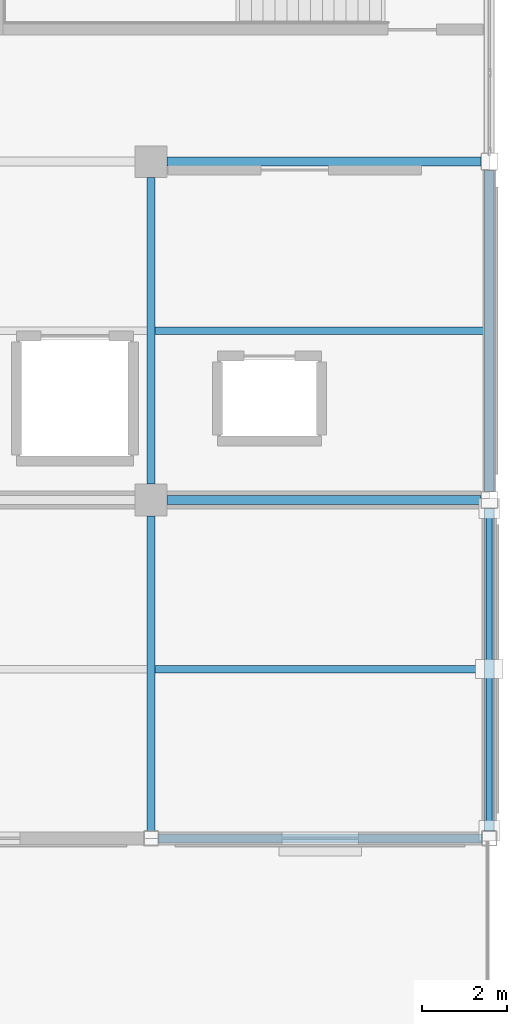
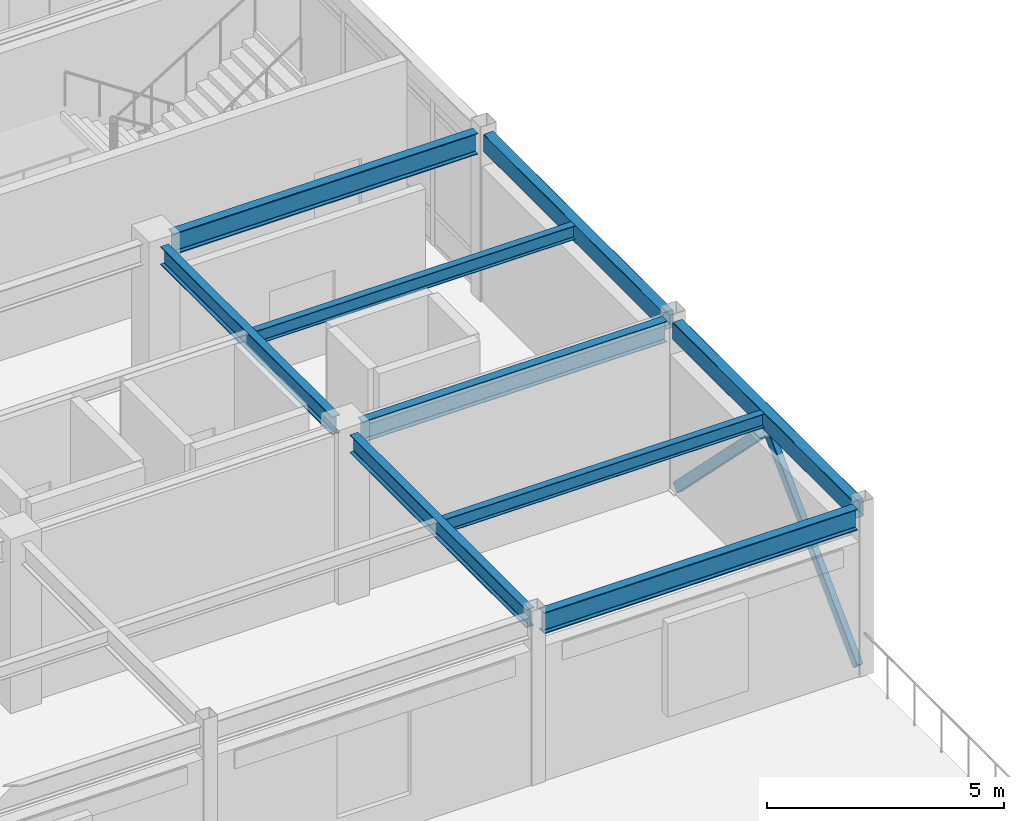
# One storey, part 70 of 111: 9 beams, 2 members.
"""IFC4 building model written with IfcOpenShell, lengths in metres."""

from ifc_helpers import new_model, si_unit, direction, frame, origin, origin_2d, place, context, subcontext, project, spatial, hollow_rectangle, i_section, extrude, material, material_profile, profile_set, type_object, element, save


model = new_model("IFC4")

# Units and contexts
model_context = context("Model", 3, precision=1e-05, world=origin(), true_north=direction((0.0, 1.0)))
body_context = subcontext(model_context, "Body", "Model", "MODEL_VIEW")
ifc_project = project(units=[si_unit("LENGTHUNIT", "METRE"), si_unit("AREAUNIT", "SQUARE_METRE"), si_unit("VOLUMEUNIT", "CUBIC_METRE"), si_unit("PLANEANGLEUNIT", "RADIAN"), si_unit("MASSUNIT", "GRAM", prefix="KILO")], contexts=[model_context])

# Site, building, storey
site_placement = place(None, origin())
site = spatial("IfcSite", under=ifc_project, at=site_placement, CompositionType="ELEMENT")
building_placement = place(site_placement, origin())
building = spatial("IfcBuilding", under=site, at=building_placement, Name="Solmirada Galleria", CompositionType="ELEMENT")
storey_placement = place(building_placement, frame((0.0, 0.0, 10.39990234375)))
storey = spatial("IfcBuildingStorey", under=building, at=storey_placement, Name="L02", CompositionType="ELEMENT", Elevation=10.39990234375)

# Beams
ifc_material_1 = material(Name="Steel S355 / ASTM A992 Grade 50", Category="steel")
ifc_material_profile_1 = material_profile(ifc_material_1, i_section(OverallWidth=0.194091796875, OverallDepth=0.468994140625, WebThickness=0.0126953125, FlangeThickness=0.0205078125, FilletRadius=0.013916015625, at=origin_2d()), Name="W18X71")
ifc_profile_set_1 = profile_set([ifc_material_profile_1], Name="Steel S355 / ASTM A992 Grade 50")
beam_type_1 = type_object("IfcBeamType", Name="BM-GIRD-W18B", PredefinedType="BEAM", material=ifc_profile_set_1)
beam_1_placement = place(storey_placement, frame((168.0, 80.177978515625, 4.065673828125), z_axis=(0.0, 1.0, 0.0), x_axis=(-1.0, 0.0, 0.0)))
element("IfcBeam", 1, at=beam_1_placement, inside=storey, type_object=beam_type_1, Name="Primary girder L03 Y(168, 80..88)", PredefinedType="BEAM", context=body_context, shape_type="SweptSolid", body=[
    extrude(i_section(OverallWidth=0.194091796875, OverallDepth=0.468994140625, WebThickness=0.0126953125, FlangeThickness=0.0205078125, FilletRadius=0.013916015625, at=origin_2d()), origin(), (0.0, 0.0, 1.0), 7.447021484375),
])
beam_2_placement = place(storey_placement, frame((168.0, 88.375, 4.065673828125), z_axis=(0.0, 1.0, 0.0), x_axis=(-1.0, 0.0, 0.0)))
element("IfcBeam", 2, at=beam_2_placement, inside=storey, type_object=beam_type_1, Name="Primary girder L03 Y(168, 88..96)", PredefinedType="BEAM", context=body_context, shape_type="SweptSolid", body=[
    extrude(i_section(OverallWidth=0.194091796875, OverallDepth=0.468994140625, WebThickness=0.0126953125, FlangeThickness=0.0205078125, FilletRadius=0.013916015625, at=origin_2d()), origin(), (0.0, 0.0, 1.0), 7.25),
])
ifc_material_profile_2 = material_profile(ifc_material_1, i_section(OverallWidth=0.214111328125, OverallDepth=0.549072265625, WebThickness=0.0146484375, FlangeThickness=0.023681640625, FilletRadius=0.014892578125, at=origin_2d()), Name="W21X93")
ifc_profile_set_2 = profile_set([ifc_material_profile_2], Name="Steel S355 / ASTM A992 Grade 50")
beam_type_2 = type_object("IfcBeamType", Name="BM-GIRD-W21A", PredefinedType="BEAM", material=ifc_profile_set_2)
beam_3_placement = place(storey_placement, frame((168.177978515625, 80.0, 4.025634765625), z_axis=(1.0, 0.0, 0.0), x_axis=(0.0, 1.0, 0.0)))
element("IfcBeam", 3, at=beam_3_placement, inside=storey, type_object=beam_type_2, Name="Primary beam L03 X(168..176, 80)", PredefinedType="BEAM", context=body_context, shape_type="SweptSolid", body=[
    extrude(i_section(OverallWidth=0.214111328125, OverallDepth=0.549072265625, WebThickness=0.0146484375, FlangeThickness=0.023681640625, FilletRadius=0.014892578125, at=origin_2d()), origin(), (0.0, 0.0, 1.0), 7.64404296875),
])
beam_4_placement = place(storey_placement, frame((168.375, 96.0, 4.025634765625), z_axis=(1.0, 0.0, 0.0), x_axis=(0.0, 1.0, 0.0)))
element("IfcBeam", 4, at=beam_4_placement, inside=storey, type_object=beam_type_2, Name="Primary beam L03 X(168..176, 96)", PredefinedType="BEAM", context=body_context, shape_type="SweptSolid", body=[
    extrude(i_section(OverallWidth=0.214111328125, OverallDepth=0.549072265625, WebThickness=0.0146484375, FlangeThickness=0.023681640625, FilletRadius=0.014892578125, at=origin_2d()), origin(), (0.0, 0.0, 1.0), 7.422119140625),
])
ifc_material_profile_3 = material_profile(ifc_material_1, i_section(OverallWidth=0.2099609375, OverallDepth=0.537109375, WebThickness=0.010986328125, FlangeThickness=0.017333984375, FilletRadius=0.014892578125, at=origin_2d()), Name="W21X68")
ifc_profile_set_3 = profile_set([ifc_material_profile_3], Name="Steel S355 / ASTM A992 Grade 50")
beam_type_3 = type_object("IfcBeamType", Name="BM-GIRD-W21B", PredefinedType="BEAM", material=ifc_profile_set_3)
beam_5_placement = place(storey_placement, frame((168.375, 88.0, 4.031494140625), z_axis=(1.0, 0.0, 0.0), x_axis=(0.0, 1.0, 0.0)))
element("IfcBeam", 5, at=beam_5_placement, inside=storey, type_object=beam_type_3, Name="Primary beam L03 X(168..176, 88)", PredefinedType="BEAM", context=body_context, shape_type="SweptSolid", body=[
    extrude(i_section(OverallWidth=0.2099609375, OverallDepth=0.537109375, WebThickness=0.010986328125, FlangeThickness=0.017333984375, FilletRadius=0.014892578125, at=origin_2d()), origin(), (0.0, 0.0, 1.0), 7.422119140625),
])
ifc_material_profile_4 = material_profile(ifc_material_1, i_section(OverallWidth=0.172119140625, OverallDepth=0.35791015625, WebThickness=0.0078125, FlangeThickness=0.01318359375, FilletRadius=0.011962890625, at=origin_2d()), Name="W14X38")
ifc_profile_set_4 = profile_set([ifc_material_profile_4], Name="Steel S355 / ASTM A992 Grade 50")
beam_type_4 = type_object("IfcBeamType", Name="BM-JST-W14A", PredefinedType="JOIST", material=ifc_profile_set_4)
for number, where, z_axis, x_axis, name in (
    (6, (168.096923828125, 84.0, 4.12109375), (1.0, 0.0, 0.0), (0.0, 1.0, 0.0), "Composite floor joist L03 (168..176, 84.0)"),
    (7, (168.096923828125, 92.0, 4.12109375), (1.0, 0.0, 0.0), (0.0, 1.0, 0.0), "Composite floor joist L03 (168..176, 92.0)"),
):
    element("IfcBeam", number, at=place(storey_placement, frame(where, z_axis=z_axis, x_axis=x_axis)), inside=storey, type_object=beam_type_4, Name=name, PredefinedType="JOIST", context=body_context, shape_type="SweptSolid", body=[
        extrude(i_section(OverallWidth=0.172119140625, OverallDepth=0.35791015625, WebThickness=0.0078125, FlangeThickness=0.01318359375, FilletRadius=0.011962890625, at=origin_2d()), origin(), (0.0, 0.0, 1.0), 7.776123046875),
    ])
ifc_material_2 = material(Name="Steel S355 / ASTM A500 Grade C", Category="steel")
ifc_material_profile_5 = material_profile(ifc_material_2, hollow_rectangle(XDim=0.25390625, YDim=0.45703125, WallThickness=0.01171875, InnerFilletRadius=0.01171875, OuterFilletRadius=0.023681640625, at=origin_2d()), Name="HSS18X10X1/2")
ifc_profile_set_5 = profile_set([ifc_material_profile_5], Name="Steel S355 / ASTM A500 Grade C")
beam_type_5 = type_object("IfcBeamType", Name="BM-SPAND-W18", PredefinedType="SPANDREL", material=ifc_profile_set_5)
beam_6_placement = place(storey_placement, frame((176.0, 80.177978515625, 4.071533203125), z_axis=(0.0, 1.0, 0.0), x_axis=(-1.0, 0.0, 0.0)))
element("IfcBeam", 8, at=beam_6_placement, inside=storey, type_object=beam_type_5, Name="Primary girder L03 Y(176, 80..88)", PredefinedType="SPANDREL", context=body_context, shape_type="SweptSolid", body=[
    extrude(hollow_rectangle(XDim=0.25390625, YDim=0.45703125, WallThickness=0.01171875, InnerFilletRadius=0.01171875, OuterFilletRadius=0.023681640625, at=origin_2d()), origin(), (0.0, 0.0, 1.0), 7.619140625),
])
beam_7_placement = place(storey_placement, frame((176.0, 88.202880859375, 4.071533203125), z_axis=(0.0, 1.0, 0.0), x_axis=(-1.0, 0.0, 0.0)))
element("IfcBeam", 9, at=beam_7_placement, inside=storey, type_object=beam_type_5, Name="Primary girder L03 Y(176, 88..96)", PredefinedType="SPANDREL", context=body_context, shape_type="SweptSolid", body=[
    extrude(hollow_rectangle(XDim=0.25390625, YDim=0.45703125, WallThickness=0.01171875, InnerFilletRadius=0.01171875, OuterFilletRadius=0.023681640625, at=origin_2d()), origin(), (0.0, 0.0, 1.0), 7.59423828125),
])

# Members
ifc_material_profile_6 = material_profile(ifc_material_2, hollow_rectangle(XDim=0.152099609375, YDim=0.25390625, WallThickness=0.0087890625, InnerFilletRadius=0.0087890625, OuterFilletRadius=0.017822265625, at=origin_2d()), Name="HSS10X6X3/8")
ifc_profile_set_6 = profile_set([ifc_material_profile_6], Name="Steel S355 / ASTM A500 Grade C")
member_type = type_object("IfcMemberType", Name="MEM-CBF-EXT", PredefinedType="BRACE", material=ifc_profile_set_6)
member_1_placement = place(storey_placement, frame((176.0, 80.177978515625, 0.02001953125), z_axis=(0.0, 0.709142259, 0.705065427106), x_axis=(-1.0, 0.0, 0.0)))
element("IfcMember", 10, at=member_1_placement, inside=storey, type_object=member_type, Name="Braced frame diagonal CBF-E1 L02 A", PredefinedType="BRACE", context=body_context, shape_type="SweptSolid", body=[
    extrude(hollow_rectangle(XDim=0.152099609375, YDim=0.25390625, WallThickness=0.0087890625, InnerFilletRadius=0.0087890625, OuterFilletRadius=0.017822265625, at=origin_2d()), origin(), (0.0, 0.0, 1.0), 5.3896484375),
])
member_2_placement = place(storey_placement, frame((176.0, 87.797119140625, 0.02001953125), z_axis=(0.0, -0.706834047822, 0.707379409397), x_axis=(1.0, 0.0, 0.0)))
element("IfcMember", 11, at=member_2_placement, inside=storey, type_object=member_type, Name="Braced frame diagonal CBF-E1 L02 B", PredefinedType="BRACE", context=body_context, shape_type="SweptSolid", body=[
    extrude(hollow_rectangle(XDim=0.152099609375, YDim=0.25390625, WallThickness=0.0087890625, InnerFilletRadius=0.0087890625, OuterFilletRadius=0.017822265625, at=origin_2d()), origin(), (0.0, 0.0, 1.0), 5.3720703125),
])

save(model, "model.ifc")
